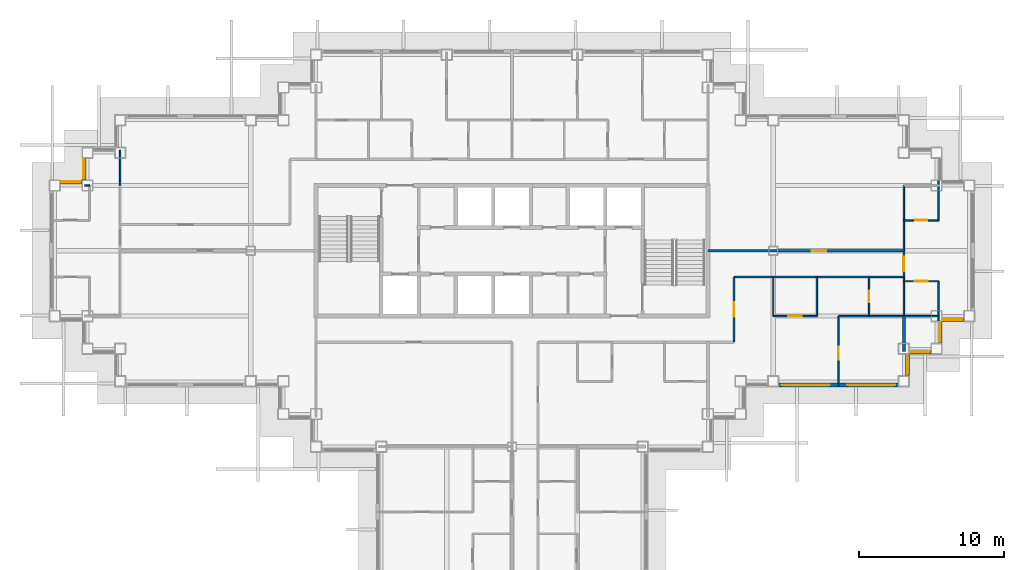
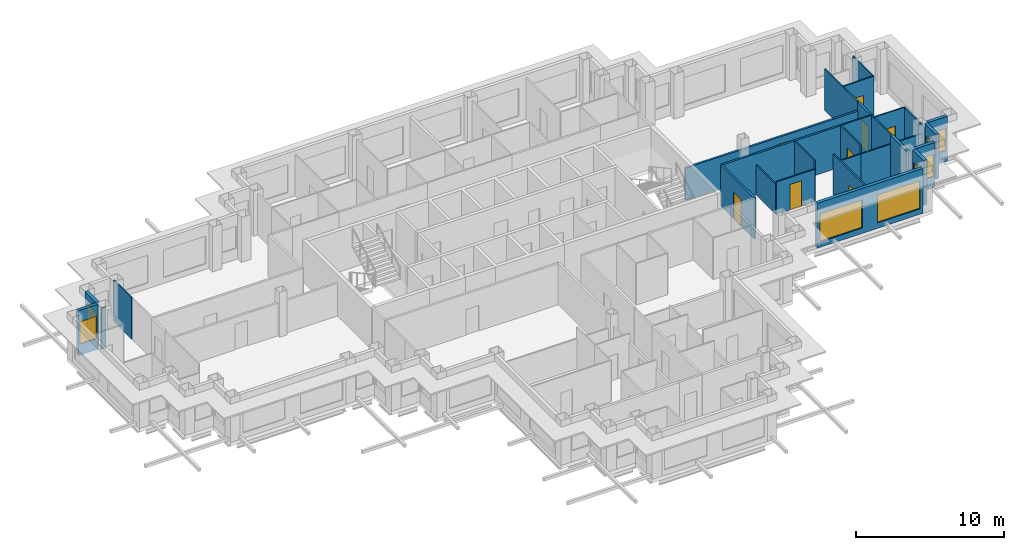
# One storey, part 7 of 15: 29 walls, 8 doors, 8 windows, 16 openings.
"""IFC4 building model written with IfcOpenShell, lengths in metres."""

from ifc_helpers import new_model, si_unit, direction, frame, frame_2d, origin, place, context, subcontext, project, spatial, rectangle, extrude, material, layer, layer_set, type_object, element, fill, save


model = new_model("IFC4")

# Units and contexts
model_context = context("Model", 3, precision=1e-05, world=origin(), true_north=direction((0.0, 1.0)))
body_context = subcontext(model_context, "Body", "Model", "MODEL_VIEW")
ifc_project = project(units=[si_unit("LENGTHUNIT", "METRE"), si_unit("AREAUNIT", "SQUARE_METRE"), si_unit("VOLUMEUNIT", "CUBIC_METRE"), si_unit("PLANEANGLEUNIT", "RADIAN"), si_unit("MASSUNIT", "GRAM", prefix="KILO")], contexts=[model_context])

# Site, building, storey
site_placement = place(None, origin())
site = spatial("IfcSite", under=ifc_project, at=site_placement, CompositionType="ELEMENT")
building_placement = place(site_placement, origin())
building = spatial("IfcBuilding", under=site, at=building_placement, Name="Caravel Reach Hotel and Residences", CompositionType="ELEMENT")
storey_placement = place(building_placement, frame((0.0, 0.0, 172.800048828125)))
storey = spatial("IfcBuildingStorey", under=building, at=storey_placement, Name="L43", CompositionType="ELEMENT", Elevation=172.800048828125)

# Walls
ifc_material_1 = material(Name="Gypsum board on steel stud", Category="steel")
ifc_layer_1 = layer(ifc_material_1, 0.10009765625)
ifc_layer_set_1 = layer_set([ifc_layer_1], Name="Bathroom pod wall 100 mm")
wall_type_1 = type_object("IfcWallType", Name="Bathroom pod wall 100 mm", PredefinedType="PARTITIONING", material=ifc_layer_set_1)
wall_1_placement = place(storey_placement, frame((56.10009765625, 22.5, 0.0), z_axis=(0.0, 0.0, 1.0), x_axis=(1.0, 0.0, 0.0)))
element("IfcWall", 1, at=wall_1_placement, inside=storey, type_object=wall_type_1, Name="L43 wall w094", PredefinedType="PARTITIONING", context=body_context, shape_type="SweptSolid", body=[
    extrude(rectangle(XDim=2.39990234375, YDim=0.10009765625, at=frame_2d((1.199951171875, 0.0))), origin(), (0.0, 0.0, 1.0), 2.679931640625),
])
wall_2_placement = place(storey_placement, frame((56.10009765625, 25.199951171875, 0.0), z_axis=(0.0, 0.0, 1.0), x_axis=(1.0, 0.0, 0.0)))
element("IfcWall", 2, at=wall_2_placement, inside=storey, type_object=wall_type_1, Name="L43 wall w095", PredefinedType="PARTITIONING", context=body_context, shape_type="SweptSolid", body=[
    extrude(rectangle(XDim=2.39990234375, YDim=0.10009765625, at=frame_2d((1.199951171875, 0.0))), origin(), (0.0, 0.0, 1.0), 3.39990234375),
])

# Wall, opening, door
wall_3_placement = place(storey_placement, frame((58.5, 29.10009765625, 0.0), z_axis=(0.0, 0.0, 1.0), x_axis=(1.0, 0.0, 0.0)))
wall_3 = element("IfcWall", 3, at=wall_3_placement, inside=storey, type_object=wall_type_1, Name="L43 wall w097", PredefinedType="PARTITIONING", context=body_context, shape_type="SweptSolid", body=[
    extrude(rectangle(XDim=2.39990234375, YDim=0.10009765625, at=frame_2d((1.199951171875, 0.0))), origin(), (0.0, 0.0, 1.0), 3.39990234375),
])
opening_1_placement = place(wall_3_placement, frame((0.800048828125, 0.0, 0.0)))
opening_1 = element("IfcOpeningElement", 4, at=opening_1_placement, cuts=wall_3, Name="Opening D43-052", PredefinedType="OPENING", context=body_context, shape_type="SweptSolid", body=[
    extrude(rectangle(XDim=0.800048828125, YDim=2.10009765625, at=frame_2d((0.39990234375, 1.050048828125))), frame((0.0, 0.06005859375, 0.0), z_axis=(0.0, -1.0, 0.0), x_axis=(1.0, 0.0, 0.0)), (0.0, 0.0, 1.0), 0.1201171875),
])
ifc_material_2 = material(Name="Timber and steel door leaf", Category="steel")
door_type_1 = type_object("IfcDoorType", Name="Bathroom door 800 x 2100", OperationType="SINGLE_SWING_LEFT", PredefinedType="DOOR", material=ifc_material_2)
door_1_placement = place(opening_1_placement, origin())
door_1 = element("IfcDoor", 5, at=door_1_placement, inside=storey, type_object=door_type_1, Name="door D43-052", OperationType="SINGLE_SWING_LEFT", OverallHeight=2.10009765625, OverallWidth=0.800048828125, PredefinedType="DOOR", context=body_context, shape_type="SweptSolid", body=[
    extrude(rectangle(XDim=0.800048828125, YDim=2.10009765625, at=frame_2d((0.39990234375, 1.050048828125))), frame((0.0, 0.02490234375, 0.0), z_axis=(0.0, -1.0, 0.0), x_axis=(1.0, 0.0, 0.0)), (0.0, 0.0, 1.0), 0.050048828125),
])
fill(opening_1, door_1)

wall_4_placement = place(storey_placement, frame((56.10009765625, 22.5, 0.0), z_axis=(0.0, 0.0, 1.0), x_axis=(0.0, 1.0, 0.0)))
wall_4 = element("IfcWall", 6, at=wall_4_placement, inside=storey, type_object=wall_type_1, Name="L43 wall w122", PredefinedType="PARTITIONING", context=body_context, shape_type="SweptSolid", body=[
    extrude(rectangle(XDim=2.699951171875, YDim=0.10009765625, at=frame_2d((1.35009765625, 0.0))), origin(), (0.0, 0.0, 1.0), 3.39990234375),
])
opening_2_placement = place(wall_4_placement, frame((0.949951171875, 0.0, 0.0)))
opening_2 = element("IfcOpeningElement", 7, at=opening_2_placement, cuts=wall_4, Name="Opening D43-034", PredefinedType="OPENING", context=body_context, shape_type="SweptSolid", body=[
    extrude(rectangle(XDim=0.800048828125, YDim=2.10009765625, at=frame_2d((0.39990234375, 1.050048828125))), frame((0.0, 0.06005859375, 0.0), z_axis=(0.0, -1.0, 0.0), x_axis=(1.0, 0.0, 0.0)), (0.0, 0.0, 1.0), 0.1201171875),
])
door_2_placement = place(opening_2_placement, origin())
door_2 = element("IfcDoor", 8, at=door_2_placement, inside=storey, type_object=door_type_1, Name="door D43-034", OperationType="SINGLE_SWING_RIGHT", OverallHeight=2.10009765625, OverallWidth=0.800048828125, PredefinedType="DOOR", context=body_context, shape_type="SweptSolid", body=[
    extrude(rectangle(XDim=0.800048828125, YDim=2.10009765625, at=frame_2d((0.39990234375, 1.050048828125))), frame((0.0, 0.02490234375, 0.0), z_axis=(0.0, -1.0, 0.0), x_axis=(1.0, 0.0, 0.0)), (0.0, 0.0, 1.0), 0.050048828125),
])
fill(opening_2, door_2)

# Walls
wall_5_placement = place(storey_placement, frame((58.5, 22.5, 0.0), z_axis=(0.0, 0.0, 1.0), x_axis=(0.0, 1.0, 0.0)))
element("IfcWall", 9, at=wall_5_placement, inside=storey, type_object=wall_type_1, Name="L43 wall w123", PredefinedType="PARTITIONING", context=body_context, shape_type="SweptSolid", body=[
    extrude(rectangle(XDim=2.699951171875, YDim=0.10009765625, at=frame_2d((1.35009765625, 0.0))), origin(), (0.0, 0.0, 1.0), 3.39990234375),
])
wall_6_placement = place(storey_placement, frame((60.89990234375, 29.10009765625, 0.0), z_axis=(0.0, 0.0, 1.0), x_axis=(0.0, 1.0, 0.0)))
element("IfcWall", 10, at=wall_6_placement, inside=storey, type_object=wall_type_1, Name="L43 wall w124", PredefinedType="PARTITIONING", context=body_context, shape_type="SweptSolid", body=[
    extrude(rectangle(XDim=2.77490234375, YDim=0.10009765625, at=frame_2d((1.387451171875, 0.0))), origin(), (0.0, 0.0, 1.0), 3.39990234375),
])
ifc_material_3 = material(Name="Gypsum board on steel stud, fire-rated", Category="steel")
ifc_layer_2 = layer(ifc_material_3, 0.14990234375)
ifc_layer_set_2 = layer_set([ifc_layer_2], Name="Corridor wall 150 mm EI 60")
wall_type_2 = type_object("IfcWallType", Name="Corridor wall 150 mm EI 60", PredefinedType="PARTITIONING", material=ifc_layer_set_2)
wall_7_placement = place(storey_placement, frame((46.801025390625, 25.199951171875, 0.0), z_axis=(0.0, 0.0, 1.0), x_axis=(1.0, 0.0, 0.0)))
element("IfcWall", 11, at=wall_7_placement, inside=storey, type_object=wall_type_2, Name="L43 wall w006", PredefinedType="PARTITIONING", context=body_context, shape_type="SweptSolid", body=[
    extrude(rectangle(XDim=9.299072265625, YDim=0.14990234375, at=frame_2d((4.6494140625, 0.0))), origin(), (0.0, 0.0, 1.0), 3.39990234375),
])

# Wall, opening, door
wall_8_placement = place(storey_placement, frame((45.0, 27.0, 0.0), z_axis=(0.0, 0.0, 1.0), x_axis=(1.0, 0.0, 0.0)))
wall_8 = element("IfcWall", 12, at=wall_8_placement, inside=storey, type_object=wall_type_2, Name="L43 wall w010", PredefinedType="PARTITIONING", context=body_context, shape_type="SweptSolid", body=[
    extrude(rectangle(XDim=13.5, YDim=0.14990234375, at=frame_2d((6.75, 0.0))), origin(), (0.0, 0.0, 1.0), 2.679931640625),
])
opening_3_placement = place(wall_8_placement, frame((7.14990234375, 0.0, 0.0)))
opening_3 = element("IfcOpeningElement", 13, at=opening_3_placement, cuts=wall_8, Name="Opening D43-031", PredefinedType="OPENING", context=body_context, shape_type="SweptSolid", body=[
    extrude(rectangle(XDim=1.0, YDim=2.10009765625, at=frame_2d((0.5, 1.050048828125))), frame((0.0, 0.0849609375, 0.0), z_axis=(0.0, -1.0, 0.0), x_axis=(1.0, 0.0, 0.0)), (0.0, 0.0, 1.0), 0.169921875),
])
ifc_material_4 = material(Name="Steel fire door leaf", Category="steel")
door_type_2 = type_object("IfcDoorType", Name="Fire door 1000 x 2100 EI 60", OperationType="SINGLE_SWING_LEFT", PredefinedType="DOOR", material=ifc_material_4)
door_3_placement = place(opening_3_placement, origin())
door_3 = element("IfcDoor", 14, at=door_3_placement, inside=storey, type_object=door_type_2, Name="door D43-031", OperationType="SINGLE_SWING_RIGHT", OverallHeight=2.10009765625, OverallWidth=1.0, PredefinedType="DOOR", context=body_context, shape_type="SweptSolid", body=[
    extrude(rectangle(XDim=1.0, YDim=2.10009765625, at=frame_2d((0.5, 1.050048828125))), frame((0.0, 0.02490234375, 0.0), z_axis=(0.0, -1.0, 0.0), x_axis=(1.0, 0.0, 0.0)), (0.0, 0.0, 1.0), 0.050048828125),
])
fill(opening_3, door_3)

wall_9_placement = place(storey_placement, frame((46.800048828125, 20.699951171875, 0.0), z_axis=(0.0, 0.0, 1.0), x_axis=(0.0, 1.0, 0.0)))
wall_9 = element("IfcWall", 15, at=wall_9_placement, inside=storey, type_object=wall_type_2, Name="L43 wall w029", PredefinedType="PARTITIONING", context=body_context, shape_type="SweptSolid", body=[
    extrude(rectangle(XDim=4.4990234375, YDim=0.14990234375, at=frame_2d((2.24951171875, 0.0))), origin(), (0.0, 0.0, 1.0), 3.39990234375),
])
opening_4_placement = place(wall_9_placement, frame((1.74951171875, 0.0, 0.0)))
opening_4 = element("IfcOpeningElement", 16, at=opening_4_placement, cuts=wall_9, Name="Opening D43-032", PredefinedType="OPENING", context=body_context, shape_type="SweptSolid", body=[
    extrude(rectangle(XDim=1.0, YDim=2.199951171875, at=frame_2d((0.5, 1.10009765625))), frame((0.0, 0.0849609375, 0.0), z_axis=(0.0, -1.0, 0.0), x_axis=(1.0, 0.0, 0.0)), (0.0, 0.0, 1.0), 0.169921875),
])
ifc_material_5 = material(Name="Steel fire door leaf", Category="steel")
door_type_3 = type_object("IfcDoorType", Name="Flat entrance door 1000 x 2200 EI 60", OperationType="SINGLE_SWING_LEFT", PredefinedType="DOOR", material=ifc_material_5)
door_4_placement = place(opening_4_placement, origin())
door_4 = element("IfcDoor", 17, at=door_4_placement, inside=storey, type_object=door_type_3, Name="door D43-032", OperationType="SINGLE_SWING_RIGHT", OverallHeight=2.199951171875, OverallWidth=1.0, PredefinedType="DOOR", context=body_context, shape_type="SweptSolid", body=[
    extrude(rectangle(XDim=1.0, YDim=2.199951171875, at=frame_2d((0.5, 1.10009765625))), frame((0.0, 0.02490234375, 0.0), z_axis=(0.0, -1.0, 0.0), x_axis=(1.0, 0.0, 0.0)), (0.0, 0.0, 1.0), 0.050048828125),
])
fill(opening_4, door_4)

wall_10_placement = place(storey_placement, frame((58.5, 25.199951171875, 0.0), z_axis=(0.0, 0.0, 1.0), x_axis=(0.0, 1.0, 0.0)))
wall_10 = element("IfcWall", 18, at=wall_10_placement, inside=storey, type_object=wall_type_2, Name="L43 wall w030", PredefinedType="PARTITIONING", context=body_context, shape_type="SweptSolid", body=[
    extrude(rectangle(XDim=1.800048828125, YDim=0.14990234375, at=frame_2d((0.89990234375, 0.0))), origin(), (0.0, 0.0, 1.0), 3.39990234375),
])
opening_5_placement = place(wall_10_placement, frame((0.39990234375, 0.0, 0.0)))
opening_5 = element("IfcOpeningElement", 19, at=opening_5_placement, cuts=wall_10, Name="Opening D43-051", PredefinedType="OPENING", context=body_context, shape_type="SweptSolid", body=[
    extrude(rectangle(XDim=1.0, YDim=2.199951171875, at=frame_2d((0.5, 1.10009765625))), frame((0.0, 0.0849609375, 0.0), z_axis=(0.0, -1.0, 0.0), x_axis=(1.0, 0.0, 0.0)), (0.0, 0.0, 1.0), 0.169921875),
])
door_5_placement = place(opening_5_placement, origin())
door_5 = element("IfcDoor", 20, at=door_5_placement, inside=storey, type_object=door_type_3, Name="door D43-051", OperationType="SINGLE_SWING_LEFT", OverallHeight=2.199951171875, OverallWidth=1.0, PredefinedType="DOOR", context=body_context, shape_type="SweptSolid", body=[
    extrude(rectangle(XDim=1.0, YDim=2.199951171875, at=frame_2d((0.5, 1.10009765625))), frame((0.0, 0.02490234375, 0.0), z_axis=(0.0, -1.0, 0.0), x_axis=(1.0, 0.0, 0.0)), (0.0, 0.0, 1.0), 0.050048828125),
])
fill(opening_5, door_5)

# Wall, openings, windows
ifc_material_6 = material(Name="Insulated rainscreen wall, aluminium cladding", Category="aluminium")
ifc_layer_3 = layer(ifc_material_6, 0.25)
ifc_layer_set_3 = layer_set([ifc_layer_3], Name="EW1 Tower rainscreen wall")
wall_type_3 = type_object("IfcWallType", Name="EW1 Tower rainscreen wall", PredefinedType="SOLIDWALL", material=ifc_layer_set_3)
wall_11_placement = place(storey_placement, frame((49.875, 17.75, 0.0), z_axis=(0.0, 0.0, 1.0), x_axis=(1.0, 0.0, 0.0)))
wall_11 = element("IfcWall", 21, at=wall_11_placement, inside=storey, type_object=wall_type_3, Name="External wall L43 S15.2", PredefinedType="SOLIDWALL", context=body_context, shape_type="SweptSolid", body=[
    extrude(rectangle(XDim=8.25, YDim=0.25, at=frame_2d((4.125, 0.0))), origin(), (0.0, 0.0, 1.0), 3.699951171875),
])
opening_6_placement = place(wall_11_placement, frame((0.22509765625, 0.0, 0.449951171875)))
opening_6 = element("IfcOpeningElement", 22, at=opening_6_placement, cuts=wall_11, Name="Opening WN15", PredefinedType="OPENING", context=body_context, shape_type="SweptSolid", body=[
    extrude(rectangle(XDim=3.300048828125, YDim=2.300048828125, at=frame_2d((1.64990234375, 1.14990234375))), frame((0.0, 0.135009765625, 0.0), z_axis=(0.0, -1.0, 0.0), x_axis=(1.0, 0.0, 0.0)), (0.0, 0.0, 1.0), 0.27001953125),
])
opening_7_placement = place(wall_11_placement, frame((4.72509765625, 0.0, 0.449951171875)))
opening_7 = element("IfcOpeningElement", 23, at=opening_7_placement, cuts=wall_11, Name="Opening WN15", PredefinedType="OPENING", context=body_context, shape_type="SweptSolid", body=[
    extrude(rectangle(XDim=3.300048828125, YDim=2.300048828125, at=frame_2d((1.64990234375, 1.14990234375))), frame((0.0, 0.135009765625, 0.0), z_axis=(0.0, -1.0, 0.0), x_axis=(1.0, 0.0, 0.0)), (0.0, 0.0, 1.0), 0.27001953125),
])
ifc_material_7 = material(Name="Dark low-e glazing in black aluminium frame", Category="aluminium")
window_type_1 = type_object("IfcWindowType", Name="Residence living window 3300 x 2300", PartitioningType="SINGLE_PANEL", PredefinedType="WINDOW", material=ifc_material_7)
window_1_placement = place(opening_6_placement, origin())
window_1 = element("IfcWindow", 24, at=window_1_placement, inside=storey, type_object=window_type_1, Name="Window L43 S15.2.1", OverallHeight=2.300048828125, OverallWidth=3.300048828125, PartitioningType="SINGLE_PANEL", PredefinedType="WINDOW", context=body_context, shape_type="SweptSolid", body=[
    extrude(rectangle(XDim=3.300048828125, YDim=2.300048828125, at=frame_2d((1.64990234375, 1.14990234375))), frame((0.0, 0.030029296875, 0.0), z_axis=(0.0, -1.0, 0.0), x_axis=(1.0, 0.0, 0.0)), (0.0, 0.0, 1.0), 0.06005859375),
])
fill(opening_6, window_1)
window_2_placement = place(opening_7_placement, origin())
window_2 = element("IfcWindow", 25, at=window_2_placement, inside=storey, type_object=window_type_1, Name="Window L43 S15.2.2", OverallHeight=2.300048828125, OverallWidth=3.300048828125, PartitioningType="SINGLE_PANEL", PredefinedType="WINDOW", context=body_context, shape_type="SweptSolid", body=[
    extrude(rectangle(XDim=3.300048828125, YDim=2.300048828125, at=frame_2d((1.64990234375, 1.14990234375))), frame((0.0, 0.030029296875, 0.0), z_axis=(0.0, -1.0, 0.0), x_axis=(1.0, 0.0, 0.0)), (0.0, 0.0, 1.0), 0.06005859375),
])
fill(opening_7, window_2)

# Wall, opening, window
wall_12_placement = place(storey_placement, frame((58.75, 18.375, 0.0), z_axis=(0.0, 0.0, 1.0), x_axis=(0.0, 1.0, 0.0)))
wall_12 = element("IfcWall", 26, at=wall_12_placement, inside=storey, type_object=wall_type_3, Name="External wall L43 E16.1", PredefinedType="SOLIDWALL", context=body_context, shape_type="SweptSolid", body=[
    extrude(rectangle(XDim=1.5, YDim=0.25, at=frame_2d((0.75, 0.0))), origin(), (0.0, 0.0, 1.0), 3.699951171875),
])
opening_8_placement = place(wall_12_placement, frame((0.10009765625, 0.0, 0.89990234375)))
opening_8 = element("IfcOpeningElement", 27, at=opening_8_placement, cuts=wall_12, Name="Opening WN16", PredefinedType="OPENING", context=body_context, shape_type="SweptSolid", body=[
    extrude(rectangle(XDim=1.300048828125, YDim=1.85009765625, at=frame_2d((0.64990234375, 0.925048828125))), frame((0.0, 0.135009765625, 0.0), z_axis=(0.0, -1.0, 0.0), x_axis=(1.0, 0.0, 0.0)), (0.0, 0.0, 1.0), 0.27001953125),
])
ifc_material_8 = material(Name="Dark low-e glazing in black aluminium frame", Category="aluminium")
window_type_2 = type_object("IfcWindowType", Name="Residence bedroom window 1300 x 1850", PartitioningType="SINGLE_PANEL", PredefinedType="WINDOW", material=ifc_material_8)
window_3_placement = place(opening_8_placement, origin())
window_3 = element("IfcWindow", 28, at=window_3_placement, inside=storey, type_object=window_type_2, Name="Window L43 E16.1.1", OverallHeight=1.85009765625, OverallWidth=1.300048828125, PartitioningType="SINGLE_PANEL", PredefinedType="WINDOW", context=body_context, shape_type="SweptSolid", body=[
    extrude(rectangle(XDim=1.300048828125, YDim=1.85009765625, at=frame_2d((0.64990234375, 0.925048828125))), frame((0.0, 0.030029296875, 0.0), z_axis=(0.0, -1.0, 0.0), x_axis=(1.0, 0.0, 0.0)), (0.0, 0.0, 1.0), 0.06005859375),
])
fill(opening_8, window_3)

wall_13_placement = place(storey_placement, frame((58.875, 20.0, 0.0), z_axis=(0.0, 0.0, 1.0), x_axis=(1.0, 0.0, 0.0)))
wall_13 = element("IfcWall", 29, at=wall_13_placement, inside=storey, type_object=wall_type_3, Name="External wall L43 S17.1", PredefinedType="SOLIDWALL", context=body_context, shape_type="SweptSolid", body=[
    extrude(rectangle(XDim=1.5, YDim=0.25, at=frame_2d((0.75, 0.0))), origin(), (0.0, 0.0, 1.0), 3.699951171875),
])
opening_9_placement = place(wall_13_placement, frame((0.10009765625, 0.0, 0.89990234375)))
opening_9 = element("IfcOpeningElement", 30, at=opening_9_placement, cuts=wall_13, Name="Opening WN16", PredefinedType="OPENING", context=body_context, shape_type="SweptSolid", body=[
    extrude(rectangle(XDim=1.300048828125, YDim=1.85009765625, at=frame_2d((0.64990234375, 0.925048828125))), frame((0.0, 0.135009765625, 0.0), z_axis=(0.0, -1.0, 0.0), x_axis=(1.0, 0.0, 0.0)), (0.0, 0.0, 1.0), 0.27001953125),
])
window_4_placement = place(opening_9_placement, origin())
window_4 = element("IfcWindow", 31, at=window_4_placement, inside=storey, type_object=window_type_2, Name="Window L43 S17.1.1", OverallHeight=1.85009765625, OverallWidth=1.300048828125, PartitioningType="SINGLE_PANEL", PredefinedType="WINDOW", context=body_context, shape_type="SweptSolid", body=[
    extrude(rectangle(XDim=1.300048828125, YDim=1.85009765625, at=frame_2d((0.64990234375, 0.925048828125))), frame((0.0, 0.030029296875, 0.0), z_axis=(0.0, -1.0, 0.0), x_axis=(1.0, 0.0, 0.0)), (0.0, 0.0, 1.0), 0.06005859375),
])
fill(opening_9, window_4)

wall_14_placement = place(storey_placement, frame((61.0, 20.625, 0.0), z_axis=(0.0, 0.0, 1.0), x_axis=(0.0, 1.0, 0.0)))
wall_14 = element("IfcWall", 32, at=wall_14_placement, inside=storey, type_object=wall_type_3, Name="External wall L43 E18.1", PredefinedType="SOLIDWALL", context=body_context, shape_type="SweptSolid", body=[
    extrude(rectangle(XDim=1.5, YDim=0.25, at=frame_2d((0.75, 0.0))), origin(), (0.0, 0.0, 1.0), 3.699951171875),
])
opening_10_placement = place(wall_14_placement, frame((0.10009765625, 0.0, 0.89990234375)))
opening_10 = element("IfcOpeningElement", 33, at=opening_10_placement, cuts=wall_14, Name="Opening WN16", PredefinedType="OPENING", context=body_context, shape_type="SweptSolid", body=[
    extrude(rectangle(XDim=1.300048828125, YDim=1.85009765625, at=frame_2d((0.64990234375, 0.925048828125))), frame((0.0, 0.135009765625, 0.0), z_axis=(0.0, -1.0, 0.0), x_axis=(1.0, 0.0, 0.0)), (0.0, 0.0, 1.0), 0.27001953125),
])
window_5_placement = place(opening_10_placement, origin())
window_5 = element("IfcWindow", 34, at=window_5_placement, inside=storey, type_object=window_type_2, Name="Window L43 E18.1.1", OverallHeight=1.85009765625, OverallWidth=1.300048828125, PartitioningType="SINGLE_PANEL", PredefinedType="WINDOW", context=body_context, shape_type="SweptSolid", body=[
    extrude(rectangle(XDim=1.300048828125, YDim=1.85009765625, at=frame_2d((0.64990234375, 0.925048828125))), frame((0.0, 0.030029296875, 0.0), z_axis=(0.0, -1.0, 0.0), x_axis=(1.0, 0.0, 0.0)), (0.0, 0.0, 1.0), 0.06005859375),
])
fill(opening_10, window_5)

wall_15_placement = place(storey_placement, frame((61.125, 22.25, 0.0), z_axis=(0.0, 0.0, 1.0), x_axis=(1.0, 0.0, 0.0)))
wall_15 = element("IfcWall", 35, at=wall_15_placement, inside=storey, type_object=wall_type_3, Name="External wall L43 S19.1", PredefinedType="SOLIDWALL", context=body_context, shape_type="SweptSolid", body=[
    extrude(rectangle(XDim=1.5, YDim=0.25, at=frame_2d((0.75, 0.0))), origin(), (0.0, 0.0, 1.0), 3.699951171875),
])
opening_11_placement = place(wall_15_placement, frame((0.10009765625, 0.0, 0.89990234375)))
opening_11 = element("IfcOpeningElement", 36, at=opening_11_placement, cuts=wall_15, Name="Opening WN16", PredefinedType="OPENING", context=body_context, shape_type="SweptSolid", body=[
    extrude(rectangle(XDim=1.300048828125, YDim=1.85009765625, at=frame_2d((0.64990234375, 0.925048828125))), frame((0.0, 0.135009765625, 0.0), z_axis=(0.0, -1.0, 0.0), x_axis=(1.0, 0.0, 0.0)), (0.0, 0.0, 1.0), 0.27001953125),
])
window_6_placement = place(opening_11_placement, origin())
window_6 = element("IfcWindow", 37, at=window_6_placement, inside=storey, type_object=window_type_2, Name="Window L43 S19.1.1", OverallHeight=1.85009765625, OverallWidth=1.300048828125, PartitioningType="SINGLE_PANEL", PredefinedType="WINDOW", context=body_context, shape_type="SweptSolid", body=[
    extrude(rectangle(XDim=1.300048828125, YDim=1.85009765625, at=frame_2d((0.64990234375, 0.925048828125))), frame((0.0, 0.030029296875, 0.0), z_axis=(0.0, -1.0, 0.0), x_axis=(1.0, 0.0, 0.0)), (0.0, 0.0, 1.0), 0.06005859375),
])
fill(opening_11, window_6)

wall_16_placement = place(storey_placement, frame((2.0, 33.375, 0.0), z_axis=(0.0, 0.0, 1.0), x_axis=(0.0, -1.0, 0.0)))
wall_16 = element("IfcWall", 38, at=wall_16_placement, inside=storey, type_object=wall_type_3, Name="External wall L43 W36.1", PredefinedType="SOLIDWALL", context=body_context, shape_type="SweptSolid", body=[
    extrude(rectangle(XDim=1.5, YDim=0.25, at=frame_2d((0.75, 0.0))), origin(), (0.0, 0.0, 1.0), 3.699951171875),
])
opening_12_placement = place(wall_16_placement, frame((0.10009765625, 0.0, 0.89990234375)))
opening_12 = element("IfcOpeningElement", 39, at=opening_12_placement, cuts=wall_16, Name="Opening WN16", PredefinedType="OPENING", context=body_context, shape_type="SweptSolid", body=[
    extrude(rectangle(XDim=1.300048828125, YDim=1.85009765625, at=frame_2d((0.64990234375, 0.925048828125))), frame((0.0, 0.135009765625, 0.0), z_axis=(0.0, -1.0, 0.0), x_axis=(1.0, 0.0, 0.0)), (0.0, 0.0, 1.0), 0.27001953125),
])
window_7_placement = place(opening_12_placement, origin())
window_7 = element("IfcWindow", 40, at=window_7_placement, inside=storey, type_object=window_type_2, Name="Window L43 W36.1.1", OverallHeight=1.85009765625, OverallWidth=1.300048828125, PartitioningType="SINGLE_PANEL", PredefinedType="WINDOW", context=body_context, shape_type="SweptSolid", body=[
    extrude(rectangle(XDim=1.300048828125, YDim=1.85009765625, at=frame_2d((0.64990234375, 0.925048828125))), frame((0.0, 0.030029296875, 0.0), z_axis=(0.0, -1.0, 0.0), x_axis=(1.0, 0.0, 0.0)), (0.0, 0.0, 1.0), 0.06005859375),
])
fill(opening_12, window_7)

wall_17_placement = place(storey_placement, frame((1.875, 31.75, 0.0), z_axis=(0.0, 0.0, 1.0), x_axis=(-1.0, 0.0, 0.0)))
wall_17 = element("IfcWall", 41, at=wall_17_placement, inside=storey, type_object=wall_type_3, Name="External wall L43 N37.1", PredefinedType="SOLIDWALL", context=body_context, shape_type="SweptSolid", body=[
    extrude(rectangle(XDim=1.5, YDim=0.25, at=frame_2d((0.75, 0.0))), origin(), (0.0, 0.0, 1.0), 3.699951171875),
])
opening_13_placement = place(wall_17_placement, frame((0.10009765625, 0.0, 0.89990234375)))
opening_13 = element("IfcOpeningElement", 42, at=opening_13_placement, cuts=wall_17, Name="Opening WN16", PredefinedType="OPENING", context=body_context, shape_type="SweptSolid", body=[
    extrude(rectangle(XDim=1.300048828125, YDim=1.85009765625, at=frame_2d((0.64990234375, 0.925048828125))), frame((0.0, 0.135009765625, 0.0), z_axis=(0.0, -1.0, 0.0), x_axis=(1.0, 0.0, 0.0)), (0.0, 0.0, 1.0), 0.27001953125),
])
window_8_placement = place(opening_13_placement, origin())
window_8 = element("IfcWindow", 43, at=window_8_placement, inside=storey, type_object=window_type_2, Name="Window L43 N37.1.1", OverallHeight=1.85009765625, OverallWidth=1.300048828125, PartitioningType="SINGLE_PANEL", PredefinedType="WINDOW", context=body_context, shape_type="SweptSolid", body=[
    extrude(rectangle(XDim=1.300048828125, YDim=1.85009765625, at=frame_2d((0.64990234375, 0.925048828125))), frame((0.0, 0.030029296875, 0.0), z_axis=(0.0, -1.0, 0.0), x_axis=(1.0, 0.0, 0.0)), (0.0, 0.0, 1.0), 0.06005859375),
])
fill(opening_13, window_8)

# Wall
ifc_material_9 = material(Name="Gypsum board on steel stud", Category="steel")
ifc_layer_4 = layer(ifc_material_9, 0.10009765625)
ifc_layer_set_4 = layer_set([ifc_layer_4], Name="Partition 100 mm")
wall_type_4 = type_object("IfcWallType", Name="Partition 100 mm", PredefinedType="PARTITIONING", material=ifc_layer_set_4)
wall_18_placement = place(storey_placement, frame((54.0, 22.5, 0.0), z_axis=(0.0, 0.0, 1.0), x_axis=(1.0, 0.0, 0.0)))
element("IfcWall", 44, at=wall_18_placement, inside=storey, type_object=wall_type_4, Name="L43 wall w034", PredefinedType="PARTITIONING", context=body_context, shape_type="SweptSolid", body=[
    extrude(rectangle(XDim=2.10009765625, YDim=0.10009765625, at=frame_2d((1.050048828125, 0.0))), origin(), (0.0, 0.0, 1.0), 2.679931640625),
])

# Wall, opening, door
wall_19_placement = place(storey_placement, frame((49.5, 22.5, 0.0), z_axis=(0.0, 0.0, 1.0), x_axis=(1.0, 0.0, 0.0)))
wall_19 = element("IfcWall", 45, at=wall_19_placement, inside=storey, type_object=wall_type_4, Name="L43 wall w035", PredefinedType="PARTITIONING", context=body_context, shape_type="SweptSolid", body=[
    extrude(rectangle(XDim=3.0, YDim=0.10009765625, at=frame_2d((1.5, 0.0))), origin(), (0.0, 0.0, 1.0), 2.679931640625),
])
opening_14_placement = place(wall_19_placement, frame((1.050048828125, 0.0, 0.0)))
opening_14 = element("IfcOpeningElement", 46, at=opening_14_placement, cuts=wall_19, Name="Opening D43-033", PredefinedType="OPENING", context=body_context, shape_type="SweptSolid", body=[
    extrude(rectangle(XDim=0.89990234375, YDim=2.10009765625, at=frame_2d((0.449951171875, 1.050048828125))), frame((0.0, 0.06005859375, 0.0), z_axis=(0.0, -1.0, 0.0), x_axis=(1.0, 0.0, 0.0)), (0.0, 0.0, 1.0), 0.1201171875),
])
ifc_material_10 = material(Name="Timber and steel door leaf", Category="steel")
door_type_4 = type_object("IfcDoorType", Name="Door 900 x 2100 timber", OperationType="SINGLE_SWING_LEFT", PredefinedType="DOOR", material=ifc_material_10)
door_6_placement = place(opening_14_placement, origin())
door_6 = element("IfcDoor", 47, at=door_6_placement, inside=storey, type_object=door_type_4, Name="door D43-033", OperationType="SINGLE_SWING_RIGHT", OverallHeight=2.10009765625, OverallWidth=0.89990234375, PredefinedType="DOOR", context=body_context, shape_type="SweptSolid", body=[
    extrude(rectangle(XDim=0.89990234375, YDim=2.10009765625, at=frame_2d((0.449951171875, 1.050048828125))), frame((0.0, 0.02490234375, 0.0), z_axis=(0.0, -1.0, 0.0), x_axis=(1.0, 0.0, 0.0)), (0.0, 0.0, 1.0), 0.050048828125),
])
fill(opening_14, door_6)

# Wall
wall_20_placement = place(storey_placement, frame((58.5009765625, 22.5, 0.0), z_axis=(0.0, 0.0, 1.0), x_axis=(1.0, 0.0, 0.0)))
element("IfcWall", 48, at=wall_20_placement, inside=storey, type_object=wall_type_4, Name="L43 wall w037", PredefinedType="PARTITIONING", context=body_context, shape_type="SweptSolid", body=[
    extrude(rectangle(XDim=2.43896484375, YDim=0.10009765625, at=frame_2d((1.219482421875, 0.0))), origin(), (0.0, 0.0, 1.0), 2.679931640625),
])

# Wall, opening, door
wall_21_placement = place(storey_placement, frame((58.5, 24.89990234375, 0.0), z_axis=(0.0, 0.0, 1.0), x_axis=(1.0, 0.0, 0.0)))
wall_21 = element("IfcWall", 49, at=wall_21_placement, inside=storey, type_object=wall_type_4, Name="L43 wall w038", PredefinedType="PARTITIONING", context=body_context, shape_type="SweptSolid", body=[
    extrude(rectangle(XDim=2.39990234375, YDim=0.10009765625, at=frame_2d((1.199951171875, 0.0))), origin(), (0.0, 0.0, 1.0), 3.39990234375),
])
opening_15_placement = place(wall_21_placement, frame((0.75, 0.0, 0.0)))
opening_15 = element("IfcOpeningElement", 50, at=opening_15_placement, cuts=wall_21, Name="Opening D43-053", PredefinedType="OPENING", context=body_context, shape_type="SweptSolid", body=[
    extrude(rectangle(XDim=0.89990234375, YDim=2.10009765625, at=frame_2d((0.449951171875, 1.050048828125))), frame((0.0, 0.06005859375, 0.0), z_axis=(0.0, -1.0, 0.0), x_axis=(1.0, 0.0, 0.0)), (0.0, 0.0, 1.0), 0.1201171875),
])
door_7_placement = place(opening_15_placement, origin())
door_7 = element("IfcDoor", 51, at=door_7_placement, inside=storey, type_object=door_type_4, Name="door D43-053", OperationType="SINGLE_SWING_RIGHT", OverallHeight=2.10009765625, OverallWidth=0.89990234375, PredefinedType="DOOR", context=body_context, shape_type="SweptSolid", body=[
    extrude(rectangle(XDim=0.89990234375, YDim=2.10009765625, at=frame_2d((0.449951171875, 1.050048828125))), frame((0.0, 0.02490234375, 0.0), z_axis=(0.0, -1.0, 0.0), x_axis=(1.0, 0.0, 0.0)), (0.0, 0.0, 1.0), 0.050048828125),
])
fill(opening_15, door_7)

# Walls
wall_22_placement = place(storey_placement, frame((2.06005859375, 31.5, 0.0), z_axis=(0.0, 0.0, 1.0), x_axis=(1.0, 0.0, 0.0)))
element("IfcWall", 52, at=wall_22_placement, inside=storey, type_object=wall_type_4, Name="L43 wall w041", PredefinedType="PARTITIONING", context=body_context, shape_type="SweptSolid", body=[
    extrude(rectangle(XDim=0.33984375, YDim=0.10009765625, at=frame_2d((0.169921875, 0.0))), origin(), (0.0, 0.0, 1.0), 3.39990234375),
])
wall_23_placement = place(storey_placement, frame((4.5, 31.5009765625, 0.0), z_axis=(0.0, 0.0, 1.0), x_axis=(0.0, 1.0, 0.0)))
element("IfcWall", 53, at=wall_23_placement, inside=storey, type_object=wall_type_4, Name="L43 wall w068", PredefinedType="PARTITIONING", context=body_context, shape_type="SweptSolid", body=[
    extrude(rectangle(XDim=2.43896484375, YDim=0.10009765625, at=frame_2d((1.219482421875, 0.0))), origin(), (0.0, 0.0, 1.0), 3.39990234375),
])
wall_24_placement = place(storey_placement, frame((49.5, 22.5, 0.0), z_axis=(0.0, 0.0, 1.0), x_axis=(0.0, 1.0, 0.0)))
element("IfcWall", 54, at=wall_24_placement, inside=storey, type_object=wall_type_4, Name="L43 wall w073", PredefinedType="PARTITIONING", context=body_context, shape_type="SweptSolid", body=[
    extrude(rectangle(XDim=2.698974609375, YDim=0.10009765625, at=frame_2d((1.349609375, 0.0))), origin(), (0.0, 0.0, 1.0), 2.47998046875),
])
wall_25_placement = place(storey_placement, frame((52.5, 22.5, 0.0), z_axis=(0.0, 0.0, 1.0), x_axis=(0.0, 1.0, 0.0)))
element("IfcWall", 55, at=wall_25_placement, inside=storey, type_object=wall_type_4, Name="L43 wall w074", PredefinedType="PARTITIONING", context=body_context, shape_type="SweptSolid", body=[
    extrude(rectangle(XDim=2.699951171875, YDim=0.10009765625, at=frame_2d((1.35009765625, 0.0))), origin(), (0.0, 0.0, 1.0), 3.39990234375),
])

# Wall, opening, door
wall_26_placement = place(storey_placement, frame((54.0, 17.68505859375, 0.0), z_axis=(0.0, 0.0, 1.0), x_axis=(0.0, 1.0, 0.0)))
wall_26 = element("IfcWall", 56, at=wall_26_placement, inside=storey, type_object=wall_type_4, Name="L43 wall w075", PredefinedType="PARTITIONING", context=body_context, shape_type="SweptSolid", body=[
    extrude(rectangle(XDim=4.81494140625, YDim=0.10009765625, at=frame_2d((2.407470703125, 0.0))), origin(), (0.0, 0.0, 1.0), 3.39990234375),
])
opening_16_placement = place(wall_26_placement, frame((1.800048828125, 0.0, 0.0)))
opening_16 = element("IfcOpeningElement", 57, at=opening_16_placement, cuts=wall_26, Name="Opening D43-035", PredefinedType="OPENING", context=body_context, shape_type="SweptSolid", body=[
    extrude(rectangle(XDim=0.89990234375, YDim=2.10009765625, at=frame_2d((0.449951171875, 1.050048828125))), frame((0.0, 0.06005859375, 0.0), z_axis=(0.0, -1.0, 0.0), x_axis=(1.0, 0.0, 0.0)), (0.0, 0.0, 1.0), 0.1201171875),
])
door_8_placement = place(opening_16_placement, origin())
door_8 = element("IfcDoor", 58, at=door_8_placement, inside=storey, type_object=door_type_4, Name="door D43-035", OperationType="SINGLE_SWING_RIGHT", OverallHeight=2.10009765625, OverallWidth=0.89990234375, PredefinedType="DOOR", context=body_context, shape_type="SweptSolid", body=[
    extrude(rectangle(XDim=0.89990234375, YDim=2.10009765625, at=frame_2d((0.449951171875, 1.050048828125))), frame((0.0, 0.02490234375, 0.0), z_axis=(0.0, -1.0, 0.0), x_axis=(1.0, 0.0, 0.0)), (0.0, 0.0, 1.0), 0.050048828125),
])
fill(opening_16, door_8)

# Walls
wall_27_placement = place(storey_placement, frame((58.5, 27.0, 0.0), z_axis=(0.0, 0.0, 1.0), x_axis=(0.0, 1.0, 0.0)))
element("IfcWall", 59, at=wall_27_placement, inside=storey, type_object=wall_type_4, Name="L43 wall w076", PredefinedType="PARTITIONING", context=body_context, shape_type="SweptSolid", body=[
    extrude(rectangle(XDim=4.5, YDim=0.10009765625, at=frame_2d((2.25, 0.0))), origin(), (0.0, 0.0, 1.0), 3.39990234375),
])
wall_28_placement = place(storey_placement, frame((60.89990234375, 22.125, 0.0), z_axis=(0.0, 0.0, 1.0), x_axis=(0.0, 1.0, 0.0)))
element("IfcWall", 60, at=wall_28_placement, inside=storey, type_object=wall_type_4, Name="L43 wall w077", PredefinedType="PARTITIONING", context=body_context, shape_type="SweptSolid", body=[
    extrude(rectangle(XDim=2.77490234375, YDim=0.10009765625, at=frame_2d((1.387451171875, 0.0))), origin(), (0.0, 0.0, 1.0), 3.39990234375),
])
ifc_material_11 = material(Name="Autoclaved aerated block wall")
ifc_layer_5 = layer(ifc_material_11, 0.199951171875)
ifc_layer_set_5 = layer_set([ifc_layer_5], Name="Party wall 200 mm EI 60")
wall_type_5 = type_object("IfcWallType", Name="Party wall 200 mm EI 60", PredefinedType="PARTITIONING", material=ifc_layer_set_5)
wall_29_placement = place(storey_placement, frame((58.5, 20.06005859375, 0.0), z_axis=(0.0, 0.0, 1.0), x_axis=(0.0, 1.0, 0.0)))
element("IfcWall", 61, at=wall_29_placement, inside=storey, type_object=wall_type_5, Name="L43 wall w086", PredefinedType="PARTITIONING", context=body_context, shape_type="SweptSolid", body=[
    extrude(rectangle(XDim=2.43896484375, YDim=0.199951171875, at=frame_2d((1.219482421875, 0.0))), origin(), (0.0, 0.0, 1.0), 3.39990234375),
])

save(model, "model.ifc")
